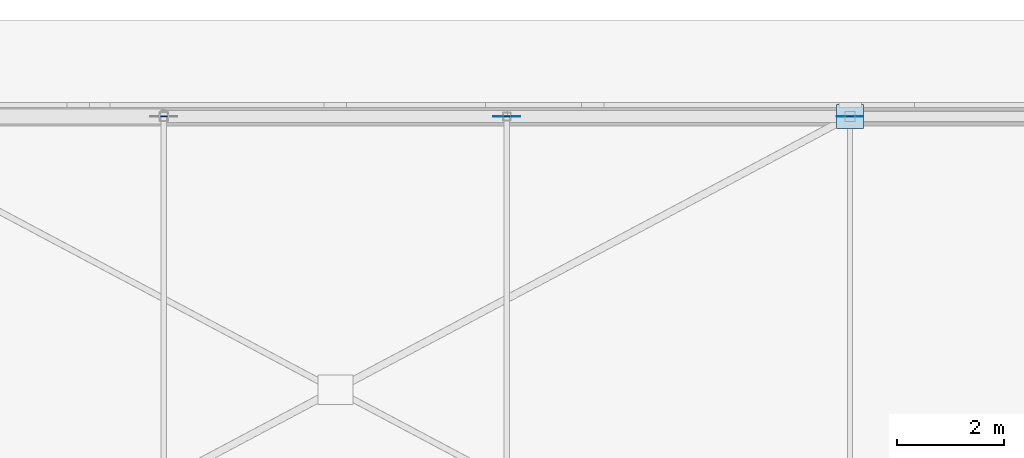
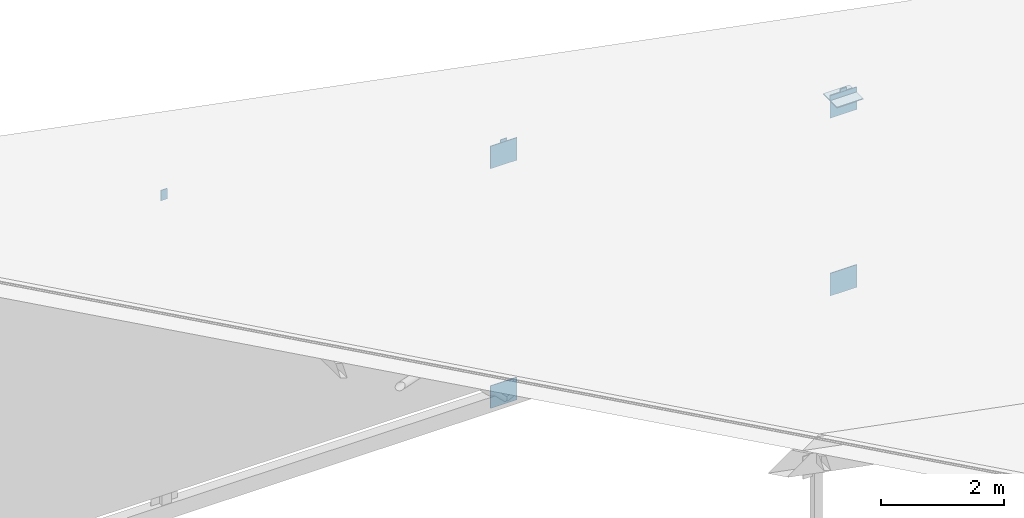
# One storey, part 165 of 200: 8 plates.
"""IFC4 building model written with IfcOpenShell, lengths in metres."""

from ifc_helpers import new_model, si_unit, direction, frame, origin, origin_2d, place, context, subcontext, project, spatial, rectangle, extrude, material, layer, layer_set, type_object, element, save


model = new_model("IFC4")

# Units and contexts
model_context = context("Model", 3, precision=1e-05, world=origin(), true_north=direction((0.0, 1.0)))
body_context = subcontext(model_context, "Body", "Model", "MODEL_VIEW")
ifc_project = project(units=[si_unit("LENGTHUNIT", "METRE"), si_unit("AREAUNIT", "SQUARE_METRE"), si_unit("VOLUMEUNIT", "CUBIC_METRE"), si_unit("PLANEANGLEUNIT", "RADIAN"), si_unit("MASSUNIT", "GRAM", prefix="KILO")], contexts=[model_context])

# Site, building, storey
site_placement = place(None, origin())
site = spatial("IfcSite", under=ifc_project, at=site_placement, CompositionType="ELEMENT")
building_placement = place(site_placement, origin())
building = spatial("IfcBuilding", under=site, at=building_placement, Name="Vondelvale Polytechnic", CompositionType="ELEMENT")
storey_placement = place(building_placement, frame((0.0, 0.0, 13.800048828125)))
storey = spatial("IfcBuildingStorey", under=building, at=storey_placement, Name="L03", CompositionType="ELEMENT", Elevation=13.800048828125)

# Plates
ifc_material = material(Name="Steel Grade 350 (fy = 340 MPa)", Category="steel")
ifc_layer_1 = layer(ifc_material, 0.011962890625)
ifc_layer_set_1 = layer_set([ifc_layer_1], Name="PLATE-CAP-C04")
plate_type_1 = type_object("IfcPlateType", Name="PLATE-CAP-C04", PredefinedType="USERDEFINED", material=ifc_layer_set_1)
for number, where, z_axis, x_axis, name in (
    (1, (16.0, 122.39990234375, 5.742919921875), (0.0, 0.0, 1.0), (1.0, 0.0, 0.0), "Workshop purlin North end cap plate 5"),
    (2, (22.39990234375, 122.39990234375, 4.509521484375), (0.0, 0.0, 1.0), (1.0, 0.0, 0.0), "Workshop purlin North end cap plate 6"),
    (3, (28.800048828125, 122.39990234375, 3.2763671875), (0.0, 0.0, 1.0), (1.0, 0.0, 0.0), "Workshop purlin North end cap plate 7"),
):
    element("IfcPlate", number, at=place(storey_placement, frame(where, z_axis=z_axis, x_axis=x_axis)), inside=storey, type_object=plate_type_1, Name=name, ObjectType="CAP_PLATE", PredefinedType="USERDEFINED", context=body_context, shape_type="SweptSolid", body=[
        extrude(rectangle(XDim=0.1201171875, YDim=0.011962890625, at=origin_2d()), origin(), (0.0, 0.0, 1.0), 0.2099609375),
    ])
ifc_layer_2 = layer(ifc_material, 0.01611328125)
ifc_layer_set_2 = layer_set([ifc_layer_2], Name="PLATE-GUSSET-16")
plate_type_2 = type_object("IfcPlateType", Name="PLATE-GUSSET-16", PredefinedType="USERDEFINED", material=ifc_layer_set_2)
for number, where, z_axis, x_axis, name in (
    (4, (22.39990234375, 122.39990234375, 4.20849609375), (0.0, 0.0, 1.0), (1.0, 0.0, 0.0), "ROOF TRUSS top chord gusset node plate 4"),
    (5, (22.39990234375, 122.39990234375, -0.56494140625), (0.0, 0.0, 1.0), (1.0, 0.0, 0.0), "ROOF TRUSS bottom chord gusset node plate 4"),
    (6, (28.800048828125, 122.39990234375, 2.97509765625), (0.0, 0.0, 1.0), (1.0, 0.0, 0.0), "ROOF TRUSS top chord gusset node plate 5"),
    (7, (28.800048828125, 122.39990234375, -0.56494140625), (0.0, 0.0, 1.0), (1.0, 0.0, 0.0), "ROOF TRUSS bottom chord gusset node plate 5"),
):
    element("IfcPlate", number, at=place(storey_placement, frame(where, z_axis=z_axis, x_axis=x_axis)), inside=storey, type_object=plate_type_2, Name=name, ObjectType="GUSSET_PLATE", PredefinedType="USERDEFINED", context=body_context, shape_type="SweptSolid", body=[
        extrude(rectangle(XDim=0.5, YDim=0.01611328125, at=origin_2d()), origin(), (0.0, 0.0, 1.0), 0.449951171875),
    ])
plate_placement = place(storey_placement, frame((28.800048828125, 122.39990234375, 3.31201171875), z_axis=(0.0, 0.0, 1.0), x_axis=(1.0, 0.0, 0.0)))
element("IfcPlate", 8, at=plate_placement, inside=storey, type_object=plate_type_2, Name="Workshop roof brace end gusset plate 7-2", ObjectType="GUSSET_PLATE", PredefinedType="USERDEFINED", context=body_context, shape_type="SweptSolid", body=[
    extrude(rectangle(XDim=0.5, YDim=0.449951171875, at=origin_2d()), origin(), (0.0, 0.0, 1.0), 0.01611328125),
])

save(model, "model.ifc")
